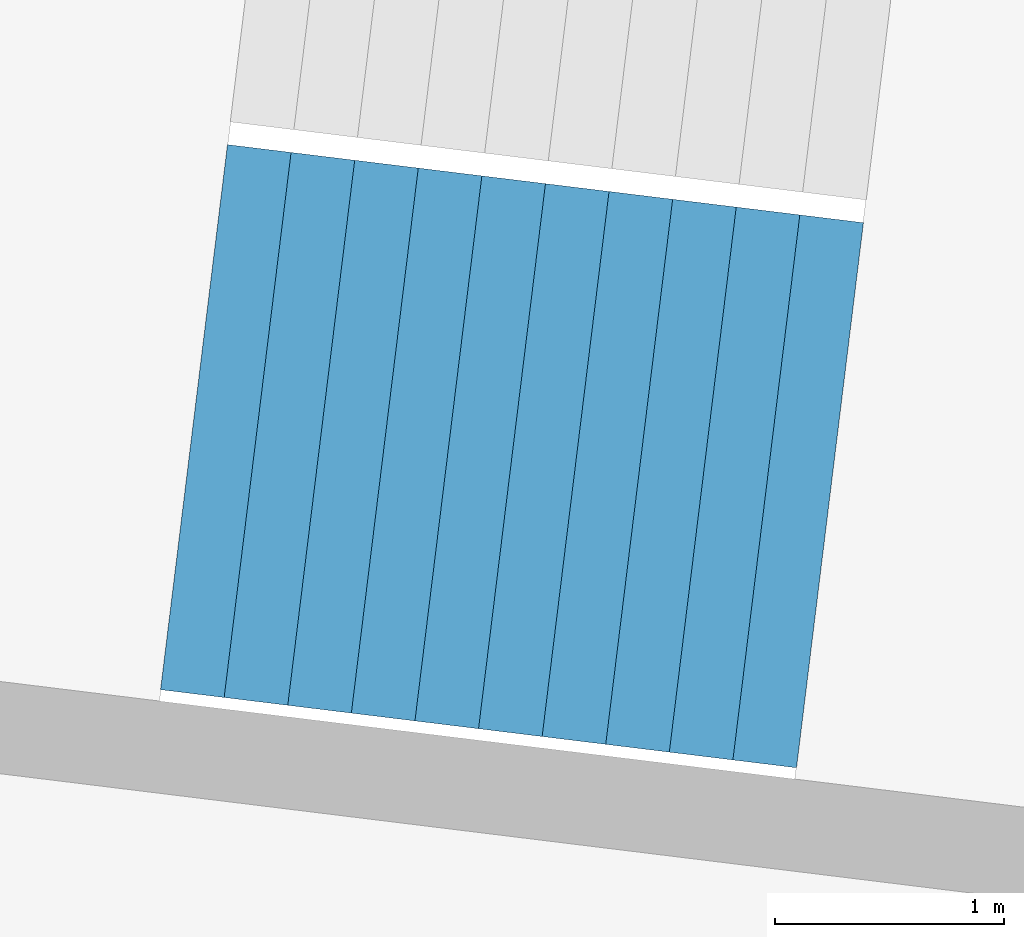
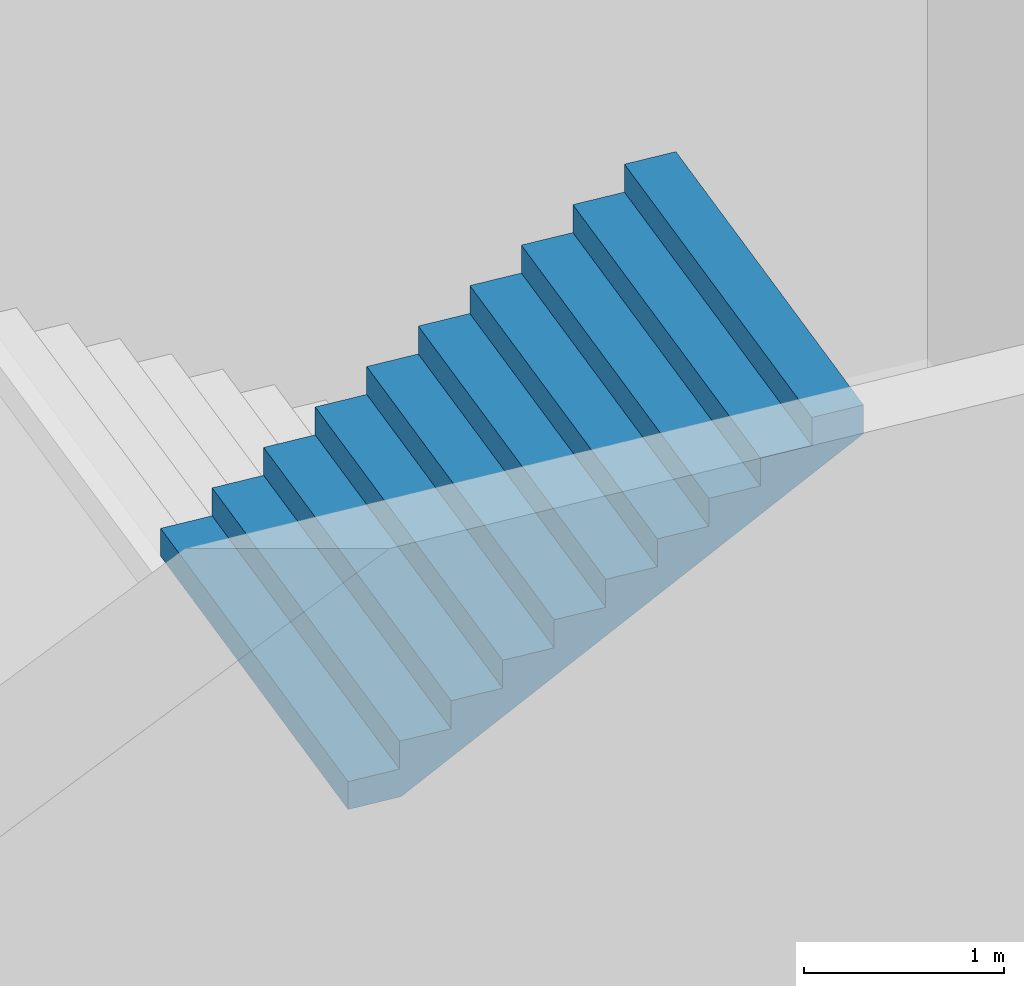
# One storey, part 27 of 73: 1 stair flight, 1 element without a shape of its own.
"""IFC4 building model written with IfcOpenShell, lengths in metres."""

from ifc_helpers import new_model, si_unit, direction, frame, origin, place, context, subcontext, project, spatial, triangles, material, type_object, element, aggregate, save


model = new_model("IFC4")

# Units and contexts
model_context = context("Model", 3, precision=1e-05, world=origin(), true_north=direction((0.0, 1.0)))
body_context = subcontext(model_context, "Body", "Model", "MODEL_VIEW")
ifc_project = project(units=[si_unit("LENGTHUNIT", "METRE"), si_unit("AREAUNIT", "SQUARE_METRE"), si_unit("VOLUMEUNIT", "CUBIC_METRE"), si_unit("PLANEANGLEUNIT", "RADIAN"), si_unit("MASSUNIT", "GRAM", prefix="KILO")], contexts=[model_context])

# Site, building, storey
site_placement = place(None, origin())
site = spatial("IfcSite", under=ifc_project, at=site_placement, CompositionType="ELEMENT")
building_placement = place(site_placement, origin())
building = spatial("IfcBuilding", under=site, at=building_placement, Name="Lantaw Convention Tower", CompositionType="ELEMENT")
storey_placement = place(building_placement, frame((0.0, 0.0, 14.5)))
storey = spatial("IfcBuildingStorey", under=building, at=storey_placement, Name="L02", CompositionType="ELEMENT", Elevation=14.5)

# Stair, stair flight
ifc_material = material(Name="Concrete C35/45", Category="concrete")
stair_type = type_object("IfcStairType", Name="Exit stair 2400 riser 170.45 in 4 flights", PredefinedType="HALF_TURN_STAIR", material=ifc_material)
stair_placement = place(storey_placement, origin())
stair = element("IfcStair", 1, at=stair_placement, inside=storey, type_object=stair_type, Name="Podium exit stair P9 L02", PredefinedType="HALF_TURN_STAIR")
stair_flight_type = type_object("IfcStairFlightType", Name="Stair flight 2400 riser 170.45", PredefinedType="STRAIGHT", material=ifc_material)
stair_flight_placement = place(storey_placement, frame((-41.055419921875, 3.781494140625, 5.625), z_axis=(0.0, 0.0, 1.0), x_axis=(0.992546151641, -0.121869343405, 0.0)))
stair_flight = element("IfcStairFlight", 2, at=stair_flight_placement, type_object=stair_flight_type, Name="P9 flight 4", NumberOfRisers=11, NumberOfTreads=10, PredefinedType="STRAIGHT", RiserHeight=0.170454545, TreadLength=0.28, context=body_context, shape_type="Tessellation", body=[
    triangles([(0.0, 1.199951171875, 0.0), (0.0, 1.199951171875, 0.170454545), (0.28, 1.199951171875, 0.0), (0.28, 1.199951171875, 0.170454545), (0.28, 1.199951171875, 0.34090909), (0.28827876332691904, 1.199951171875, 0.0), (0.28827876332691904, 1.199951171875, 0.34090909), (0.56, 1.199951171875, 0.16541471344266906), (0.56, 1.199951171875, 0.34090909), (0.56, 1.199951171875, 0.511363635), (0.8400000000000001, 1.199951171875, 0.335869258442669), (0.8400000000000001, 1.199951171875, 0.511363635), (0.8400000000000001, 1.199951171875, 0.68181818), (1.12, 1.199951171875, 0.506323803442669), (1.12, 1.199951171875, 0.68181818), (1.12, 1.199951171875, 0.8522727250000001), (1.4000000000000001, 1.199951171875, 0.676778348442669), (1.4000000000000001, 1.199951171875, 0.8522727250000001), (1.4000000000000001, 1.199951171875, 1.02272727), (1.6800000000000002, 1.199951171875, 0.847232893442669), (1.6800000000000002, 1.199951171875, 1.02272727), (1.6800000000000002, 1.199951171875, 1.193181815), (1.9600000000000002, 1.199951171875, 1.017687438442669), (1.9600000000000002, 1.199951171875, 1.193181815), (1.9600000000000002, 1.199951171875, 1.36363636), (2.24, 1.199951171875, 1.188141983442669), (2.24, 1.199951171875, 1.36363636), (2.24, 1.199951171875, 1.5340909050000002), (2.5200000000000005, 1.199951171875, 1.358596528442669), (2.5200000000000005, 1.199951171875, 1.5340909050000002), (2.5200000000000005, 1.199951171875, 1.7045454500000001), (2.8000000000000003, 1.199951171875, 1.529051073442669), (2.8000000000000003, 1.199951171875, 1.7045454500000001), (0.0, -1.199951171875, 0.0), (0.0, -1.199951171875, 0.170454545), (0.28, -1.199951171875, 0.0), (0.28, -1.199951171875, 0.170454545), (0.28, -1.199951171875, 0.34090909), (0.28827876332691904, -1.199951171875, 0.0), (0.28827876332691904, -1.199951171875, 0.34090909), (0.56, -1.199951171875, 0.16541471344266906), (0.56, -1.199951171875, 0.34090909), (0.56, -1.199951171875, 0.511363635), (0.8400000000000001, -1.199951171875, 0.335869258442669), (0.8400000000000001, -1.199951171875, 0.511363635), (0.8400000000000001, -1.199951171875, 0.68181818), (1.12, -1.199951171875, 0.506323803442669), (1.12, -1.199951171875, 0.68181818), (1.12, -1.199951171875, 0.8522727250000001), (1.4000000000000001, -1.199951171875, 0.676778348442669), (1.4000000000000001, -1.199951171875, 0.8522727250000001), (1.4000000000000001, -1.199951171875, 1.02272727), (1.6800000000000002, -1.199951171875, 0.847232893442669), (1.6800000000000002, -1.199951171875, 1.02272727), (1.6800000000000002, -1.199951171875, 1.193181815), (1.9600000000000002, -1.199951171875, 1.017687438442669), (1.9600000000000002, -1.199951171875, 1.193181815), (1.9600000000000002, -1.199951171875, 1.36363636), (2.24, -1.199951171875, 1.188141983442669), (2.24, -1.199951171875, 1.36363636), (2.24, -1.199951171875, 1.5340909050000002), (2.5200000000000005, -1.199951171875, 1.358596528442669), (2.5200000000000005, -1.199951171875, 1.5340909050000002), (2.5200000000000005, -1.199951171875, 1.7045454500000001), (2.8000000000000003, -1.199951171875, 1.529051073442669), (2.8000000000000003, -1.199951171875, 1.7045454500000001), (0.0, 0.239990234375, 0.170454545), (0.0, 0.239990234375, 0.0), (0.0, 0.1199951171875, 0.170454545), (0.0, 0.1199951171875, 0.0), (0.0, 0.0, 0.170454545), (0.0, 0.0, 0.0), (0.0, -0.1199951171875, 0.170454545), (0.0, -0.1199951171875, 0.0), (0.0, -0.239990234375, 0.170454545), (0.0, -0.239990234375, 0.0), (0.28, 0.239990234375, 0.34090909), (0.28, 0.239990234375, 0.170454545), (0.28, 0.1199951171875, 0.34090909), (0.28, 0.1199951171875, 0.170454545), (0.28, 0.0, 0.34090909), (0.28, 0.0, 0.170454545), (0.28, -0.1199951171875, 0.34090909), (0.28, -0.1199951171875, 0.170454545), (0.28, -0.239990234375, 0.34090909), (0.28, -0.239990234375, 0.170454545), (0.56, 0.239990234375, 0.511363635), (0.56, 0.239990234375, 0.34090909), (0.56, 0.1199951171875, 0.511363635), (0.56, 0.1199951171875, 0.34090909), (0.56, 0.0, 0.511363635), (0.56, 0.0, 0.34090909), (0.56, -0.1199951171875, 0.511363635), (0.56, -0.1199951171875, 0.34090909), (0.56, -0.239990234375, 0.511363635), (0.56, -0.239990234375, 0.34090909), (0.8400000000000001, 0.239990234375, 0.68181818), (0.8400000000000001, 0.239990234375, 0.511363635), (0.8400000000000001, 0.1199951171875, 0.68181818), (0.8400000000000001, 0.1199951171875, 0.511363635), (0.8400000000000001, 0.0, 0.68181818), (0.8400000000000001, 0.0, 0.511363635), (0.8400000000000001, -0.1199951171875, 0.68181818), (0.8400000000000001, -0.1199951171875, 0.511363635), (0.8400000000000001, -0.239990234375, 0.68181818), (0.8400000000000001, -0.239990234375, 0.511363635), (1.12, 0.239990234375, 0.8522727250000001), (1.12, 0.239990234375, 0.68181818), (1.12, 0.1199951171875, 0.8522727250000001), (1.12, 0.1199951171875, 0.68181818), (1.12, 0.0, 0.8522727250000001), (1.12, 0.0, 0.68181818), (1.12, -0.1199951171875, 0.8522727250000001), (1.12, -0.1199951171875, 0.68181818), (1.12, -0.239990234375, 0.8522727250000001), (1.12, -0.239990234375, 0.68181818), (1.4000000000000001, 0.239990234375, 1.02272727), (1.4000000000000001, 0.239990234375, 0.8522727250000001), (1.4000000000000001, 0.1199951171875, 1.02272727), (1.4000000000000001, 0.1199951171875, 0.8522727250000001), (1.4000000000000001, 0.0, 1.02272727), (1.4000000000000001, 0.0, 0.8522727250000001), (1.4000000000000001, -0.1199951171875, 1.02272727), (1.4000000000000001, -0.1199951171875, 0.8522727250000001), (1.4000000000000001, -0.239990234375, 1.02272727), (1.4000000000000001, -0.239990234375, 0.8522727250000001), (1.6800000000000002, 0.239990234375, 1.193181815), (1.6800000000000002, 0.239990234375, 1.02272727), (1.6800000000000002, 0.1199951171875, 1.193181815), (1.6800000000000002, 0.1199951171875, 1.02272727), (1.6800000000000002, 0.0, 1.193181815), (1.6800000000000002, 0.0, 1.02272727), (1.6800000000000002, -0.1199951171875, 1.193181815), (1.6800000000000002, -0.1199951171875, 1.02272727), (1.6800000000000002, -0.239990234375, 1.193181815), (1.6800000000000002, -0.239990234375, 1.02272727), (1.9600000000000002, 0.239990234375, 1.36363636), (1.9600000000000002, 0.239990234375, 1.193181815), (1.9600000000000002, 0.1199951171875, 1.36363636), (1.9600000000000002, 0.1199951171875, 1.193181815), (1.9600000000000002, 0.0, 1.36363636), (1.9600000000000002, 0.0, 1.193181815), (1.9600000000000002, -0.1199951171875, 1.36363636), (1.9600000000000002, -0.1199951171875, 1.193181815), (1.9600000000000002, -0.239990234375, 1.36363636), (1.9600000000000002, -0.239990234375, 1.193181815), (2.24, 0.239990234375, 1.5340909050000002), (2.24, 0.239990234375, 1.36363636), (2.24, 0.1199951171875, 1.5340909050000002), (2.24, 0.1199951171875, 1.36363636), (2.24, 0.0, 1.5340909050000002), (2.24, 0.0, 1.36363636), (2.24, -0.1199951171875, 1.5340909050000002), (2.24, -0.1199951171875, 1.36363636), (2.24, -0.239990234375, 1.5340909050000002), (2.24, -0.239990234375, 1.36363636), (2.5200000000000005, 0.239990234375, 1.7045454500000001), (2.5200000000000005, 0.239990234375, 1.5340909050000002), (2.5200000000000005, 0.1199951171875, 1.7045454500000001), (2.5200000000000005, 0.1199951171875, 1.5340909050000002), (2.5200000000000005, 0.0, 1.7045454500000001), (2.5200000000000005, 0.0, 1.5340909050000002), (2.5200000000000005, -0.1199951171875, 1.7045454500000001), (2.5200000000000005, -0.1199951171875, 1.5340909050000002), (2.5200000000000005, -0.239990234375, 1.7045454500000001), (2.5200000000000005, -0.239990234375, 1.5340909050000002), (0.28827876332691904, 0.239990234375, 0.34090909), (0.28827876332691904, 0.1199951171875, 0.34090909), (0.28827876332691904, 0.0, 0.34090909), (0.28827876332691904, -0.1199951171875, 0.34090909), (0.28827876332691904, -0.239990234375, 0.34090909), (2.8000000000000003, 0.239990234375, 1.7045454500000001), (2.8000000000000003, 0.1199951171875, 1.7045454500000001), (2.8000000000000003, 0.0, 1.7045454500000001), (2.8000000000000003, -0.1199951171875, 1.7045454500000001), (2.8000000000000003, -0.239990234375, 1.7045454500000001), (2.8000000000000003, 0.239990234375, 1.5290510734426692), (2.8000000000000003, 0.1199951171875, 1.5290510734426692), (2.8000000000000003, 0.0, 1.5290510734426692), (2.8000000000000003, -0.1199951171875, 1.5290510734426692), (2.8000000000000003, -0.239990234375, 1.5290510734426692), (2.5200000000000005, 0.239990234375, 1.358596528442669), (2.5200000000000005, 0.1199951171875, 1.358596528442669), (2.5200000000000005, 0.0, 1.358596528442669), (2.5200000000000005, -0.1199951171875, 1.358596528442669), (2.5200000000000005, -0.239990234375, 1.358596528442669), (2.24, 0.239990234375, 1.188141983442669), (2.24, 0.1199951171875, 1.188141983442669), (2.24, 0.0, 1.188141983442669), (2.24, -0.1199951171875, 1.188141983442669), (2.24, -0.239990234375, 1.188141983442669), (1.9600000000000002, 0.239990234375, 1.017687438442669), (1.9600000000000002, 0.1199951171875, 1.017687438442669), (1.9600000000000002, 0.0, 1.017687438442669), (1.9600000000000002, -0.1199951171875, 1.017687438442669), (1.9600000000000002, -0.239990234375, 1.017687438442669), (1.6800000000000002, 0.239990234375, 0.847232893442669), (1.6800000000000002, 0.1199951171875, 0.847232893442669), (1.6800000000000002, 0.0, 0.847232893442669), (1.6800000000000002, -0.1199951171875, 0.847232893442669), (1.6800000000000002, -0.239990234375, 0.847232893442669), (1.4000000000000001, 0.239990234375, 0.676778348442669), (1.4000000000000001, 0.1199951171875, 0.676778348442669), (1.4000000000000001, 0.0, 0.676778348442669), (1.4000000000000001, -0.1199951171875, 0.676778348442669), (1.4000000000000001, -0.239990234375, 0.676778348442669), (1.12, 0.239990234375, 0.506323803442669), (1.12, 0.1199951171875, 0.506323803442669), (1.12, 0.0, 0.506323803442669), (1.12, -0.1199951171875, 0.506323803442669), (1.12, -0.239990234375, 0.506323803442669), (0.8400000000000001, 0.239990234375, 0.335869258442669), (0.8400000000000001, 0.1199951171875, 0.335869258442669), (0.8400000000000001, 0.0, 0.335869258442669), (0.8400000000000001, -0.1199951171875, 0.335869258442669), (0.8400000000000001, -0.239990234375, 0.335869258442669), (0.56, 0.239990234375, 0.16541471344266906), (0.56, 0.1199951171875, 0.16541471344266906), (0.56, 0.0, 0.16541471344266906), (0.56, -0.1199951171875, 0.16541471344266906), (0.56, -0.239990234375, 0.16541471344266906), (0.28827876332691904, 0.239990234375, 0.0), (0.28827876332691904, 0.1199951171875, 0.0), (0.28827876332691904, 0.0, 0.0), (0.28827876332691904, -0.1199951171875, 0.0), (0.28827876332691904, -0.239990234375, 0.0), (0.28, 0.239990234375, 0.0), (0.28, 0.1199951171875, 0.0), (0.28, 0.0, 0.0), (0.28, -0.1199951171875, 0.0), (0.28, -0.239990234375, 0.0)], [[1, 4, 3], [1, 2, 4], [3, 4, 6], [4, 7, 6], [4, 5, 7], [6, 9, 8], [6, 7, 9], [8, 9, 11], [9, 12, 11], [9, 10, 12], [11, 12, 14], [12, 15, 14], [12, 13, 15], [14, 15, 17], [15, 18, 17], [15, 16, 18], [17, 18, 20], [18, 21, 20], [18, 19, 21], [20, 21, 23], [21, 24, 23], [21, 22, 24], [23, 24, 26], [24, 27, 26], [24, 25, 27], [26, 27, 29], [27, 30, 29], [27, 28, 30], [29, 30, 32], [30, 33, 32], [30, 31, 33], [34, 36, 37], [34, 37, 35], [36, 39, 37], [37, 39, 40], [37, 40, 38], [39, 41, 42], [39, 42, 40], [41, 44, 42], [42, 44, 45], [42, 45, 43], [44, 47, 45], [45, 47, 48], [45, 48, 46], [47, 50, 48], [48, 50, 51], [48, 51, 49], [50, 53, 51], [51, 53, 54], [51, 54, 52], [53, 56, 54], [54, 56, 57], [54, 57, 55], [56, 59, 57], [57, 59, 60], [57, 60, 58], [59, 62, 60], [60, 62, 63], [60, 63, 61], [62, 65, 63], [63, 65, 66], [63, 66, 64], [1, 67, 2], [1, 68, 67], [68, 69, 67], [68, 70, 69], [70, 71, 69], [70, 72, 71], [72, 73, 71], [72, 74, 73], [74, 75, 73], [74, 76, 75], [76, 35, 75], [76, 34, 35], [4, 77, 5], [4, 78, 77], [78, 79, 77], [78, 80, 79], [80, 81, 79], [80, 82, 81], [82, 83, 81], [82, 84, 83], [84, 85, 83], [84, 86, 85], [86, 38, 85], [86, 37, 38], [9, 87, 10], [9, 88, 87], [88, 89, 87], [88, 90, 89], [90, 91, 89], [90, 92, 91], [92, 93, 91], [92, 94, 93], [94, 95, 93], [94, 96, 95], [96, 43, 95], [96, 42, 43], [12, 97, 13], [12, 98, 97], [98, 99, 97], [98, 100, 99], [100, 101, 99], [100, 102, 101], [102, 103, 101], [102, 104, 103], [104, 105, 103], [104, 106, 105], [106, 46, 105], [106, 45, 46], [15, 107, 16], [15, 108, 107], [108, 109, 107], [108, 110, 109], [110, 111, 109], [110, 112, 111], [112, 113, 111], [112, 114, 113], [114, 115, 113], [114, 116, 115], [116, 49, 115], [116, 48, 49], [18, 117, 19], [18, 118, 117], [118, 119, 117], [118, 120, 119], [120, 121, 119], [120, 122, 121], [122, 123, 121], [122, 124, 123], [124, 125, 123], [124, 126, 125], [126, 52, 125], [126, 51, 52], [21, 127, 22], [21, 128, 127], [128, 129, 127], [128, 130, 129], [130, 131, 129], [130, 132, 131], [132, 133, 131], [132, 134, 133], [134, 135, 133], [134, 136, 135], [136, 55, 135], [136, 54, 55], [24, 137, 25], [24, 138, 137], [138, 139, 137], [138, 140, 139], [140, 141, 139], [140, 142, 141], [142, 143, 141], [142, 144, 143], [144, 145, 143], [144, 146, 145], [146, 58, 145], [146, 57, 58], [27, 147, 28], [27, 148, 147], [148, 149, 147], [148, 150, 149], [150, 151, 149], [150, 152, 151], [152, 153, 151], [152, 154, 153], [154, 155, 153], [154, 156, 155], [156, 61, 155], [156, 60, 61], [30, 157, 31], [30, 158, 157], [158, 159, 157], [158, 160, 159], [160, 161, 159], [160, 162, 161], [162, 163, 161], [162, 164, 163], [164, 165, 163], [164, 166, 165], [166, 64, 165], [166, 63, 64], [2, 78, 4], [2, 67, 78], [67, 80, 78], [67, 69, 80], [69, 82, 80], [69, 71, 82], [71, 84, 82], [71, 73, 84], [73, 86, 84], [73, 75, 86], [75, 37, 86], [75, 35, 37], [5, 167, 7], [5, 77, 167], [77, 168, 167], [77, 79, 168], [79, 169, 168], [79, 81, 169], [81, 170, 169], [81, 83, 170], [83, 171, 170], [83, 85, 171], [85, 40, 171], [85, 38, 40], [7, 88, 9], [7, 167, 88], [167, 90, 88], [167, 168, 90], [168, 92, 90], [168, 169, 92], [169, 94, 92], [169, 170, 94], [170, 96, 94], [170, 171, 96], [171, 42, 96], [171, 40, 42], [10, 98, 12], [10, 87, 98], [87, 100, 98], [87, 89, 100], [89, 102, 100], [89, 91, 102], [91, 104, 102], [91, 93, 104], [93, 106, 104], [93, 95, 106], [95, 45, 106], [95, 43, 45], [13, 108, 15], [13, 97, 108], [97, 110, 108], [97, 99, 110], [99, 112, 110], [99, 101, 112], [101, 114, 112], [101, 103, 114], [103, 116, 114], [103, 105, 116], [105, 48, 116], [105, 46, 48], [16, 118, 18], [16, 107, 118], [107, 120, 118], [107, 109, 120], [109, 122, 120], [109, 111, 122], [111, 124, 122], [111, 113, 124], [113, 126, 124], [113, 115, 126], [115, 51, 126], [115, 49, 51], [19, 128, 21], [19, 117, 128], [117, 130, 128], [117, 119, 130], [119, 132, 130], [119, 121, 132], [121, 134, 132], [121, 123, 134], [123, 136, 134], [123, 125, 136], [125, 54, 136], [125, 52, 54], [22, 138, 24], [22, 127, 138], [127, 140, 138], [127, 129, 140], [129, 142, 140], [129, 131, 142], [131, 144, 142], [131, 133, 144], [133, 146, 144], [133, 135, 146], [135, 57, 146], [135, 55, 57], [25, 148, 27], [25, 137, 148], [137, 150, 148], [137, 139, 150], [139, 152, 150], [139, 141, 152], [141, 154, 152], [141, 143, 154], [143, 156, 154], [143, 145, 156], [145, 60, 156], [145, 58, 60], [28, 158, 30], [28, 147, 158], [147, 160, 158], [147, 149, 160], [149, 162, 160], [149, 151, 162], [151, 164, 162], [151, 153, 164], [153, 166, 164], [153, 155, 166], [155, 63, 166], [155, 61, 63], [31, 172, 33], [31, 157, 172], [157, 173, 172], [157, 159, 173], [159, 174, 173], [159, 161, 174], [161, 175, 174], [161, 163, 175], [163, 176, 175], [163, 165, 176], [165, 66, 176], [165, 64, 66], [33, 177, 32], [33, 172, 177], [172, 178, 177], [172, 173, 178], [173, 179, 178], [173, 174, 179], [174, 180, 179], [174, 175, 180], [175, 181, 180], [175, 176, 181], [176, 65, 181], [176, 66, 65], [32, 182, 29], [32, 177, 182], [177, 183, 182], [177, 178, 183], [178, 184, 183], [178, 179, 184], [179, 185, 184], [179, 180, 185], [180, 186, 185], [180, 181, 186], [181, 62, 186], [181, 65, 62], [29, 187, 26], [29, 182, 187], [182, 188, 187], [182, 183, 188], [183, 189, 188], [183, 184, 189], [184, 190, 189], [184, 185, 190], [185, 191, 190], [185, 186, 191], [186, 59, 191], [186, 62, 59], [26, 192, 23], [26, 187, 192], [187, 193, 192], [187, 188, 193], [188, 194, 193], [188, 189, 194], [189, 195, 194], [189, 190, 195], [190, 196, 195], [190, 191, 196], [191, 56, 196], [191, 59, 56], [23, 197, 20], [23, 192, 197], [192, 198, 197], [192, 193, 198], [193, 199, 198], [193, 194, 199], [194, 200, 199], [194, 195, 200], [195, 201, 200], [195, 196, 201], [196, 53, 201], [196, 56, 53], [20, 202, 17], [20, 197, 202], [197, 203, 202], [197, 198, 203], [198, 204, 203], [198, 199, 204], [199, 205, 204], [199, 200, 205], [200, 206, 205], [200, 201, 206], [201, 50, 206], [201, 53, 50], [17, 207, 14], [17, 202, 207], [202, 208, 207], [202, 203, 208], [203, 209, 208], [203, 204, 209], [204, 210, 209], [204, 205, 210], [205, 211, 210], [205, 206, 211], [206, 47, 211], [206, 50, 47], [14, 212, 11], [14, 207, 212], [207, 213, 212], [207, 208, 213], [208, 214, 213], [208, 209, 214], [209, 215, 214], [209, 210, 215], [210, 216, 215], [210, 211, 216], [211, 44, 216], [211, 47, 44], [11, 217, 8], [11, 212, 217], [212, 218, 217], [212, 213, 218], [213, 219, 218], [213, 214, 219], [214, 220, 219], [214, 215, 220], [215, 221, 220], [215, 216, 221], [216, 41, 221], [216, 44, 41], [8, 222, 6], [8, 217, 222], [217, 223, 222], [217, 218, 223], [218, 224, 223], [218, 219, 224], [219, 225, 224], [219, 220, 225], [220, 226, 225], [220, 221, 226], [221, 39, 226], [221, 41, 39], [6, 227, 3], [6, 222, 227], [222, 228, 227], [222, 223, 228], [223, 229, 228], [223, 224, 229], [224, 230, 229], [224, 225, 230], [225, 231, 230], [225, 226, 231], [226, 36, 231], [226, 39, 36], [3, 68, 1], [3, 227, 68], [227, 70, 68], [227, 228, 70], [228, 72, 70], [228, 229, 72], [229, 74, 72], [229, 230, 74], [230, 76, 74], [230, 231, 76], [231, 34, 76], [231, 36, 34]], closed=True),
])
aggregate(stair, [stair_flight])

save(model, "model.ifc")
